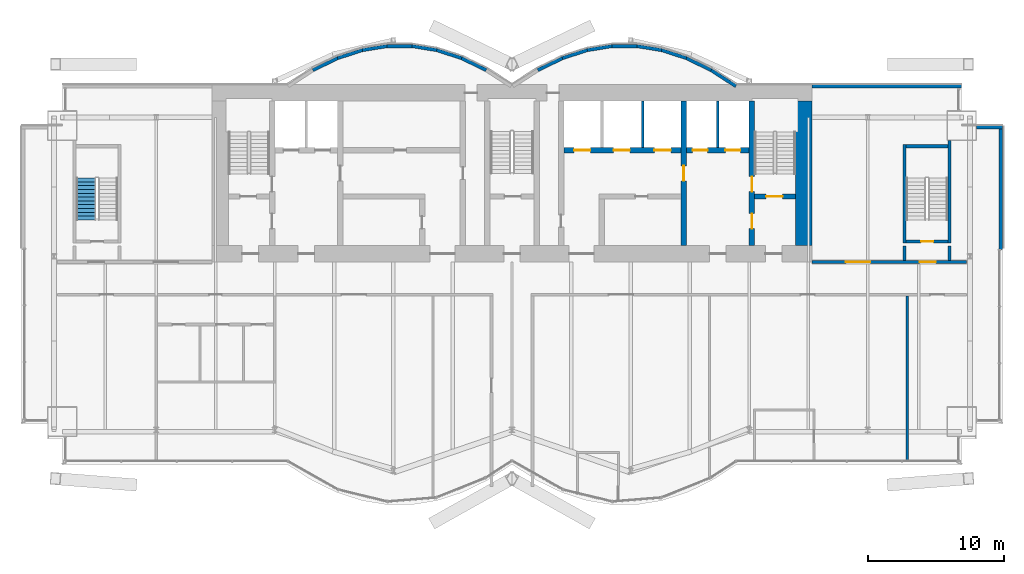
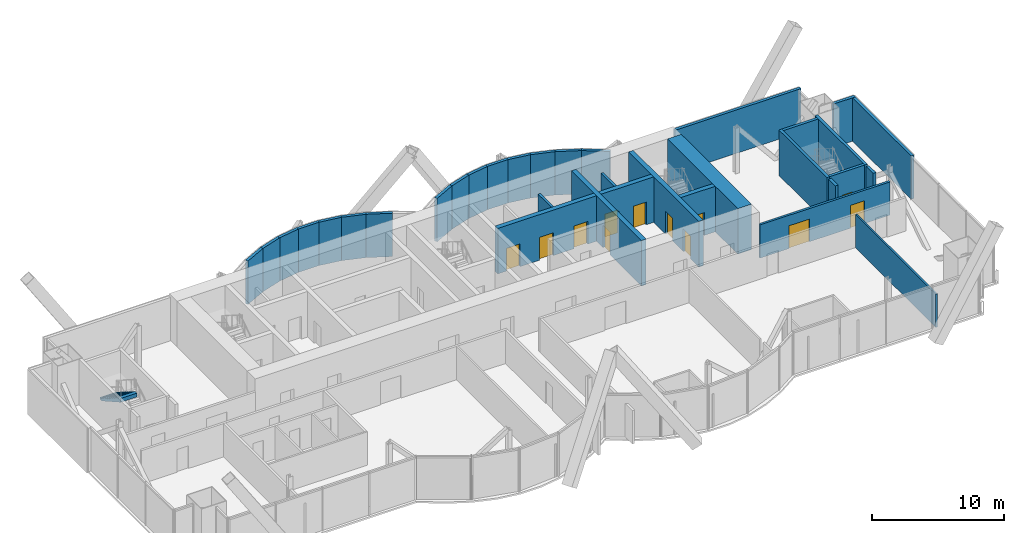
# One storey, part 15 of 19: 33 walls, 12 doors, 1 stair flight, 12 openings, 1 element without a shape of its own.
"""IFC4 building model written with IfcOpenShell, lengths in metres."""

import ifcopenshell
import ifcopenshell.guid

model = None  # the IFC model being written
_history = None  # IfcOwnerHistory: only IFC2X3 demands one
_inside = {}  # id of a spatial element -> (the spatial element, [elements in it])
_under = {}  # id of a project, library or spatial element -> (it, [spatial elements below it])
_declared = {}  # id of a project -> (the project, [libraries it declares])
_typed = {}  # id of a type object -> (the type object, [elements of that type])
_made_of = {}  # id of a material, layer set ... -> (it, [elements and type objects made of it])


def new_model(schema):
    """Start an empty IFC model of exactly this schema.

    Asked for "IFC4X3", IfcOpenShell would pick the latest addendum, in which some entities
    have other attributes; the version numbers below select the first issue.
    IFC2X3 requires an IfcOwnerHistory on every rooted entity: one is made here for all.
    """
    global model, _history
    if schema == "IFC4X3":
        model = ifcopenshell.file(schema_version=(4, 3, 0, 0))
    else:
        model = ifcopenshell.file(schema=schema)
    _inside.clear()
    _under.clear()
    _declared.clear()
    _typed.clear()
    _made_of.clear()
    _history = None
    if model.schema == "IFC2X3":
        org = make("IfcOrganization", Name="unknown")
        user = make(
            "IfcPersonAndOrganization",
            ThePerson=make("IfcPerson", FamilyName="unknown"),
            TheOrganization=org,
        )
        app = make(
            "IfcApplication",
            ApplicationDeveloper=org,
            Version="unknown",
            ApplicationFullName="unknown",
            ApplicationIdentifier="unknown",
        )
        _history = make(
            "IfcOwnerHistory",
            OwningUser=user,
            OwningApplication=app,
            ChangeAction="ADDED",
            CreationDate=0,
        )
    return model


def make(cls, **values):
    """One entity of the class cls with the attributes given. An attribute that is None is left unset."""
    return model.create_entity(
        cls, **{name: value for name, value in values.items() if value is not None}
    )


def rooted(cls, **values):
    """An entity with a GlobalId (a new one), such as an element, a storey or a relation."""
    return make(cls, GlobalId=ifcopenshell.guid.new(), OwnerHistory=_history, **values)


def si_unit(unit_type, name, prefix=None):
    """IfcSIUnit, for example si_unit("LENGTHUNIT", "METRE", prefix="MILLI")."""
    return make("IfcSIUnit", UnitType=unit_type, Prefix=prefix, Name=name)


def assignment(units):
    """IfcUnitAssignment: the units of a project."""
    return None if units is None else make("IfcUnitAssignment", Units=units)


def point(xyz):
    """IfcCartesianPoint."""
    return None if xyz is None else make("IfcCartesianPoint", Coordinates=xyz)


def direction(xyz):
    """IfcDirection."""
    return None if xyz is None else make("IfcDirection", DirectionRatios=xyz)


def frame(location, z_axis=None, x_axis=None):
    """IfcAxis2Placement3D, a coordinate frame: its origin and axes. An axis left out is left unset."""
    return make(
        "IfcAxis2Placement3D",
        Location=point(location),
        Axis=direction(z_axis),
        RefDirection=direction(x_axis),
    )


def frame_2d(location, x_axis=None):
    """IfcAxis2Placement2D, a coordinate frame in the plane: its origin and x axis."""
    return make(
        "IfcAxis2Placement2D", Location=point(location), RefDirection=direction(x_axis)
    )


def origin():
    """The frame at (0, 0, 0) with its axes left unset."""
    return frame((0.0, 0.0, 0.0))


def place(relative_to, where):
    """IfcLocalPlacement: puts the frame where relative to a parent placement (None: the world)."""
    return make(
        "IfcLocalPlacement", PlacementRelTo=relative_to, RelativePlacement=where
    )


def context(
    kind, dimensions, precision=None, world=None, true_north=None, identifier=None
):
    """IfcGeometricRepresentationContext, for example the 3D "Model" context."""
    return make(
        "IfcGeometricRepresentationContext",
        ContextIdentifier=identifier,
        ContextType=kind,
        CoordinateSpaceDimension=dimensions,
        Precision=precision,
        WorldCoordinateSystem=world,
        TrueNorth=true_north,
    )


def subcontext(parent, identifier, kind, view, scale=None):
    """IfcGeometricRepresentationSubContext, for example "Body" below "Model"."""
    return make(
        "IfcGeometricRepresentationSubContext",
        ContextIdentifier=identifier,
        ContextType=kind,
        ParentContext=parent,
        TargetScale=scale,
        TargetView=view,
    )


def project(units=None, contexts=None):
    """IfcProject with its units and contexts."""
    return rooted(
        "IfcProject",
        Name="project",
        RepresentationContexts=contexts,
        UnitsInContext=assignment(units),
    )


def spatial(cls, under=None, at=None, **own):
    """A site, building, storey or space (cls), placed at a placement, below another one or the project."""
    s = rooted(cls, ObjectPlacement=at, **own)
    if under is not None:
        _under.setdefault(under.id(), (under, []))[1].append(s)
    return s


def polyline(points):
    """IfcPolyline through the points."""
    return make("IfcPolyline", Points=[point(p) for p in points])


def profile(cls, at=None, kind="AREA", **sizes):
    """A parametric profile (cls). Its sizes go by their IFC names, for example OverallWidth=200.0."""
    return make(cls, ProfileType=kind, Position=at, **sizes)


def rectangle(**sizes):
    """IfcRectangleProfileDef."""
    return profile("IfcRectangleProfileDef", **sizes)


def outline(outer, holes=None, kind="AREA"):
    """IfcArbitraryClosedProfileDef: a profile drawn as a closed curve; with holes, ...WithVoids."""
    if holes is None:
        return make("IfcArbitraryClosedProfileDef", ProfileType=kind, OuterCurve=outer)
    return make(
        "IfcArbitraryProfileDefWithVoids",
        ProfileType=kind,
        OuterCurve=outer,
        InnerCurves=holes,
    )


def extrude(swept, where, along, depth):
    """IfcExtrudedAreaSolid: the profile swept, set in the frame where, extruded along a direction by depth."""
    return make(
        "IfcExtrudedAreaSolid",
        SweptArea=swept,
        Position=where,
        ExtrudedDirection=direction(along),
        Depth=depth,
    )


def shape(context_of_items, identifier, shape_type, items):
    """IfcShapeRepresentation: the items that make up one representation, for example the "Body"."""
    return make(
        "IfcShapeRepresentation",
        ContextOfItems=context_of_items,
        RepresentationIdentifier=identifier,
        RepresentationType=shape_type,
        Items=items,
    )


def material(Name=None, Category=None):
    """IfcMaterial."""
    return make("IfcMaterial", Name=Name, Category=Category)


def layer(
    of_material, thickness, ventilated=None, Name=None, Category=None, Priority=None
):
    """IfcMaterialLayer: one layer of a wall or slab, of a material (None: an air gap)."""
    return make(
        "IfcMaterialLayer",
        Material=of_material,
        LayerThickness=thickness,
        IsVentilated=ventilated,
        Name=Name,
        Category=Category,
        Priority=Priority,
    )


def layer_set(layers, Name=None):
    """IfcMaterialLayerSet."""
    return make("IfcMaterialLayerSet", MaterialLayers=layers, LayerSetName=Name)


def layer_usage(for_layer_set, set_direction, sense, offset, extent=None):
    """IfcMaterialLayerSetUsage: how a layer set lies in its element."""
    return make(
        "IfcMaterialLayerSetUsage",
        ForLayerSet=for_layer_set,
        LayerSetDirection=set_direction,
        DirectionSense=sense,
        OffsetFromReferenceLine=offset,
        ReferenceExtent=extent,
    )


def made_of(thing, what):
    """Note that an element or type object is made of a material, layer set ...; save() writes the relation."""
    if what is not None:
        _made_of.setdefault(what.id(), (what, []))[1].append(thing)
    return thing


def type_object(cls, material=None, **own):
    """A type object (cls), such as IfcWallType, which elements share."""
    return made_of(rooted(cls, **own), material)


def element(
    cls,
    number,
    at=None,
    inside=None,
    cuts=None,
    type_object=None,
    material=None,
    context=None,
    identifier="Body",
    shape_type=None,
    held_by="IfcProductDefinitionShape",
    body=None,
    shapes=None,
    **own,
):
    """One element of the class cls, such as IfcWall. Its Tag is "e" and its number.

    at: its placement. inside: the storey or other place that contains it. cuts: it is an
    opening in that element (IfcRelVoidsElement). A single representation is given by context,
    identifier, shape_type and body (its items); several are given by shapes. held_by: the class
    of the entity that holds the representations. save() writes the other relations.
    """
    e = rooted(cls, Tag="e%d" % number, ObjectPlacement=at, **own)
    if body is not None:
        shapes = [shape(context, identifier, shape_type, body)]
    if shapes is not None:
        e.Representation = make(held_by, Representations=shapes)
    if inside is not None:
        _inside.setdefault(inside.id(), (inside, []))[1].append(e)
    if cuts is not None:
        rooted(
            "IfcRelVoidsElement", RelatingBuildingElement=cuts, RelatedOpeningElement=e
        )
    if type_object is not None:
        _typed.setdefault(type_object.id(), (type_object, []))[1].append(e)
    return made_of(e, material)


def fill(opening, filler):
    """IfcRelFillsElement: the door or window that sits in an opening."""
    return rooted(
        "IfcRelFillsElement",
        RelatingOpeningElement=opening,
        RelatedBuildingElement=filler,
    )


def aggregate(whole, parts):
    """IfcRelAggregates: a whole, such as a stair, and the parts it consists of."""
    return rooted("IfcRelAggregates", RelatingObject=whole, RelatedObjects=parts)


def save(model, path):
    """Write the relations noted so far, then the file.

    IfcRelAggregates (storeys below a building ...), IfcRelContainedInSpatialStructure (elements
    in a storey), IfcRelDefinesByType, IfcRelAssociatesMaterial and IfcRelDeclares: one each for
    every whole, place, type object, material and project.
    """
    for whole, parts in _under.values():
        aggregate(whole, parts)
    for where, things in _inside.values():
        rooted(
            "IfcRelContainedInSpatialStructure",
            RelatedElements=things,
            RelatingStructure=where,
        )
    for kind, things in _typed.values():
        rooted("IfcRelDefinesByType", RelatedObjects=things, RelatingType=kind)
    for what, things in _made_of.values():
        rooted("IfcRelAssociatesMaterial", RelatedObjects=things, RelatingMaterial=what)
    for by, libraries in _declared.values():
        rooted("IfcRelDeclares", RelatingContext=by, RelatedDefinitions=libraries)
    model.write(path)


model = new_model("IFC4")

# Units and contexts
model_context = context("Model", 3, precision=1e-05, world=origin(), true_north=direction((0.0, 1.0)))
body_context = subcontext(model_context, "Body", "Model", "MODEL_VIEW")
ifc_project = project(units=[si_unit("LENGTHUNIT", "METRE"), si_unit("AREAUNIT", "SQUARE_METRE"), si_unit("VOLUMEUNIT", "CUBIC_METRE"), si_unit("PLANEANGLEUNIT", "RADIAN"), si_unit("MASSUNIT", "GRAM", prefix="KILO")], contexts=[model_context])

# Site, building, storey
site_placement = place(None, origin())
site = spatial("IfcSite", under=ifc_project, at=site_placement, CompositionType="ELEMENT")
building_placement = place(site_placement, origin())
building = spatial("IfcBuilding", under=site, at=building_placement, Name="Bicima Exchange Tower", CompositionType="ELEMENT")
storey_placement = place(building_placement, frame((0.0, 0.0, 283.39990234375)))
storey = spatial("IfcBuildingStorey", under=building, at=storey_placement, Name="L64", CompositionType="ELEMENT", Elevation=283.39990234375)

# Walls
ifc_material_1 = material(Name="Gypsum board partition")
ifc_layer_1 = layer(ifc_material_1, 0.199951171875)
ifc_layer_set_1 = layer_set([ifc_layer_1], Name="Gypsum board partition")
wall_type_1 = type_object("IfcWallType", Name="Fire-rated gypsum partition 200 EI120", PredefinedType="PARTITIONING", material=ifc_layer_set_1)
for number, where, z_axis, x_axis, name in (
    (1, (9.60009765625, -4.60009765625, 0.0), (0.0, 0.0, 1.0), (0.0, 1.0, 0.0), "partition wall 18"),
    (2, (15.10009765625, -4.60009765625, 0.0), (0.0, 0.0, 1.0), (0.0, 1.0, 0.0), "partition wall 20"),
):
    element("IfcWall", number, at=place(storey_placement, frame(where, z_axis=z_axis, x_axis=x_axis)), inside=storey, type_object=wall_type_1, Name=name, PredefinedType="PARTITIONING", context=body_context, shape_type="SweptSolid", body=[
        extrude(rectangle(XDim=3.400146484375, YDim=0.199951171875, at=frame_2d((1.7001953125, 0.0))), origin(), (0.0, 0.0, 1.0), 3.068359375),
    ])

# Wall, openings, doors
ifc_layer_2 = layer(ifc_material_1, 0.199951171875)
ifc_layer_set_2 = layer_set([ifc_layer_2], Name="Gypsum board partition")
wall_type_2 = type_object("IfcWallType", Name="Fire-rated gypsum partition 200 EI60", PredefinedType="PARTITIONING", material=ifc_layer_set_2)
wall_1_placement = place(storey_placement, frame((22.0, -13.0, 0.0), z_axis=(0.0, 0.0, 1.0), x_axis=(1.0, 0.0, 0.0)))
wall_1 = element("IfcWall", 3, at=wall_1_placement, inside=storey, type_object=wall_type_2, Name="partition wall 8", PredefinedType="PARTITIONING", context=body_context, shape_type="SweptSolid", body=[
    extrude(rectangle(XDim=11.340087890625, YDim=0.199951171875, at=frame_2d((5.669921875, 0.0))), origin(), (0.0, 0.0, 1.0), 3.068359375),
])
opening_1_placement = place(wall_1_placement, frame((7.89990234375, 0.0, 0.0)))
opening_1 = element("IfcOpeningElement", 4, at=opening_1_placement, cuts=wall_1, Name="Opening L64-003", PredefinedType="OPENING", context=body_context, shape_type="SweptSolid", body=[
    extrude(rectangle(XDim=1.199951171875, YDim=2.10009765625, at=frame_2d((0.60009765625, 1.050048828125))), frame((0.0, 0.11181640625, 0.0), z_axis=(0.0, -1.0, 0.0), x_axis=(1.0, 0.0, 0.0)), (0.0, 0.0, 1.0), 0.223876953125),
])
opening_2_placement = place(wall_1_placement, frame((2.5, 0.0, 0.0)))
opening_2 = element("IfcOpeningElement", 5, at=opening_2_placement, cuts=wall_1, Name="Opening L64-006", PredefinedType="OPENING", context=body_context, shape_type="SweptSolid", body=[
    extrude(rectangle(XDim=1.800048828125, YDim=2.10009765625, at=frame_2d((0.89990234375, 1.050048828125))), frame((0.0, 0.11181640625, 0.0), z_axis=(0.0, -1.0, 0.0), x_axis=(1.0, 0.0, 0.0)), (0.0, 0.0, 1.0), 0.223876953125),
])
ifc_material_2 = material(Name="Steel fire door leaf", Category="steel")
door_type_1 = type_object("IfcDoorType", Name="Door 1200 swing FD30S", OperationType="SINGLE_SWING_LEFT", PredefinedType="DOOR", material=ifc_material_2)
door_1_placement = place(opening_1_placement, origin())
door_1 = element("IfcDoor", 6, at=door_1_placement, inside=storey, type_object=door_type_1, Name="Door", OperationType="SINGLE_SWING_RIGHT", OverallHeight=2.10009765625, OverallWidth=1.199951171875, PredefinedType="DOOR", context=body_context, shape_type="SweptSolid", body=[
    extrude(rectangle(XDim=1.199951171875, YDim=2.10009765625, at=frame_2d((0.60009765625, 1.050048828125))), frame((0.0, 0.02490234375, 0.0), z_axis=(0.0, -1.0, 0.0), x_axis=(1.0, 0.0, 0.0)), (0.0, 0.0, 1.0), 0.050048828125),
])
fill(opening_1, door_1)
door_type_2 = type_object("IfcDoorType", Name="Door 1800 double swing FD30S", OperationType="DOUBLE_DOOR_SINGLE_SWING", PredefinedType="DOOR", material=ifc_material_2)
door_2_placement = place(opening_2_placement, origin())
door_2 = element("IfcDoor", 7, at=door_2_placement, inside=storey, type_object=door_type_2, Name="Door", OperationType="SINGLE_SWING_LEFT", OverallHeight=2.10009765625, OverallWidth=1.800048828125, PredefinedType="DOOR", context=body_context, shape_type="SweptSolid", body=[
    extrude(rectangle(XDim=1.800048828125, YDim=2.10009765625, at=frame_2d((0.89990234375, 1.050048828125))), frame((0.0, 0.02490234375, 0.0), z_axis=(0.0, -1.0, 0.0), x_axis=(1.0, 0.0, 0.0)), (0.0, 0.0, 1.0), 0.050048828125),
])
fill(opening_2, door_2)

# Walls
ifc_layer_3 = layer(ifc_material_1, 0.14990234375)
ifc_layer_set_3 = layer_set([ifc_layer_3], Name="Gypsum board partition")
wall_type_3 = type_object("IfcWallType", Name="Gypsum partition 150", PredefinedType="PARTITIONING", material=ifc_layer_set_3)
wall_2_placement = place(storey_placement, frame((29.0, -27.639892578125, 0.0), z_axis=(0.0, 0.0, 1.0), x_axis=(0.0, 1.0, 0.0)))
element("IfcWall", 8, at=wall_2_placement, inside=storey, type_object=wall_type_3, Name="partition wall 29", PredefinedType="PARTITIONING", context=body_context, shape_type="SweptSolid", body=[
    extrude(rectangle(XDim=12.139892578125, YDim=0.14990234375, at=frame_2d((6.06982421875, 0.0))), origin(), (0.0, 0.0, 1.0), 3.068359375),
])
ifc_material_3 = material(Name="Concrete C40/50", Category="concrete")
ifc_layer_4 = layer(ifc_material_3, 1.199951171875)
ifc_layer_set_4 = layer_set([ifc_layer_4], Name="Concrete C40/50")
wall_type_4 = type_object("IfcWallType", Name="RC core wall 1200 C40/50", PredefinedType="SHEAR", material=ifc_layer_set_4)
wall_3_placement = place(storey_placement, frame((21.39990234375, -11.800048828125, 0.0), z_axis=(0.0, 0.0, 1.0), x_axis=(0.0, 1.0, 0.0)))
element("IfcWall", 9, at=wall_3_placement, inside=storey, type_object=wall_type_4, Name="Core wall east", PredefinedType="SHEAR", context=body_context, shape_type="SweptSolid", body=[
    extrude(rectangle(XDim=10.60009765625, YDim=1.199951171875, at=frame_2d((5.300048828125, 0.0))), origin(), (0.0, 0.0, 1.0), 4.2001953125),
])
ifc_material_4 = material(Name="Concrete C50/60", Category="concrete")
ifc_layer_5 = layer(ifc_material_4, 0.25)
ifc_layer_set_5 = layer_set([ifc_layer_5], Name="Concrete C50/60")
wall_type_5 = type_object("IfcWallType", Name="RC core wall 250 C50/60", PredefinedType="SHEAR", material=ifc_layer_set_5)
for number, where, z_axis, x_axis, name in (
    (10, (28.800048828125, -12.89990234375, 0.0), (0.0, 0.0, 1.0), (0.0, 1.0, 0.0), "stair wall 28"),
    (11, (32.10009765625, -12.89990234375, 0.0), (0.0, 0.0, 1.0), (0.0, 1.0, 0.0), "stair wall 30"),
):
    element("IfcWall", number, at=place(storey_placement, frame(where, z_axis=z_axis, x_axis=x_axis)), inside=storey, type_object=wall_type_5, Name=name, PredefinedType="SHEAR", context=body_context, shape_type="SweptSolid", body=[
        extrude(rectangle(XDim=1.0498046875, YDim=0.25, at=frame_2d((0.52490234375, 0.0))), origin(), (0.0, 0.0, 1.0), 4.2001953125),
    ])

# Wall, openings, doors
ifc_layer_6 = layer(ifc_material_3, 0.39990234375)
ifc_layer_set_6 = layer_set([ifc_layer_6], Name="Concrete C40/50")
wall_type_6 = type_object("IfcWallType", Name="RC core wall 400 C40/50", PredefinedType="SHEAR", material=ifc_layer_set_6)
wall_4_placement = place(storey_placement, frame((3.800048828125, -4.800048828125, 0.0), z_axis=(0.0, 0.0, 1.0), x_axis=(1.0, 0.0, 0.0)))
wall_4 = element("IfcWall", 12, at=wall_4_placement, inside=storey, type_object=wall_type_6, Name="shear wall 7", PredefinedType="SHEAR", context=body_context, shape_type="SweptSolid", body=[
    extrude(rectangle(XDim=13.599853515625, YDim=0.39990234375, at=frame_2d((6.7998046875, 0.0))), origin(), (0.0, 0.0, 1.0), 4.2001953125),
])
opening_3_placement = place(wall_4_placement, frame((0.75, 0.0, 0.0)))
opening_3 = element("IfcOpeningElement", 13, at=opening_3_placement, cuts=wall_4, Name="Opening LD-HB1-L64", PredefinedType="OPENING", context=body_context, shape_type="SweptSolid", body=[
    extrude(rectangle(XDim=1.199951171875, YDim=2.10009765625, at=frame_2d((0.60009765625, 1.050048828125))), frame((0.0, 0.2119140625, 0.0), z_axis=(0.0, -1.0, 0.0), x_axis=(1.0, 0.0, 0.0)), (0.0, 0.0, 1.0), 0.423828125),
])
opening_4_placement = place(wall_4_placement, frame((3.64990234375, 0.0, 0.0)))
opening_4 = element("IfcOpeningElement", 14, at=opening_4_placement, cuts=wall_4, Name="Opening LD-HB2-L64", PredefinedType="OPENING", context=body_context, shape_type="SweptSolid", body=[
    extrude(rectangle(XDim=1.199951171875, YDim=2.10009765625, at=frame_2d((0.60009765625, 1.050048828125))), frame((0.0, 0.2119140625, 0.0), z_axis=(0.0, -1.0, 0.0), x_axis=(1.0, 0.0, 0.0)), (0.0, 0.0, 1.0), 0.423828125),
])
opening_5_placement = place(wall_4_placement, frame((6.64990234375, 0.0, 0.0)))
opening_5 = element("IfcOpeningElement", 15, at=opening_5_placement, cuts=wall_4, Name="Opening LD-HB3-L64", PredefinedType="OPENING", context=body_context, shape_type="SweptSolid", body=[
    extrude(rectangle(XDim=1.199951171875, YDim=2.10009765625, at=frame_2d((0.60009765625, 1.050048828125))), frame((0.0, 0.2119140625, 0.0), z_axis=(0.0, -1.0, 0.0), x_axis=(1.0, 0.0, 0.0)), (0.0, 0.0, 1.0), 0.423828125),
])
opening_6_placement = place(wall_4_placement, frame((9.449951171875, 0.0, 0.0)))
opening_6 = element("IfcOpeningElement", 16, at=opening_6_placement, cuts=wall_4, Name="Opening LD-FF2-L64", PredefinedType="OPENING", context=body_context, shape_type="SweptSolid", body=[
    extrude(rectangle(XDim=1.10009765625, YDim=2.10009765625, at=frame_2d((0.550048828125, 1.050048828125))), frame((0.0, 0.2119140625, 0.0), z_axis=(0.0, -1.0, 0.0), x_axis=(1.0, 0.0, 0.0)), (0.0, 0.0, 1.0), 0.423828125),
])
opening_7_placement = place(wall_4_placement, frame((11.85009765625, 0.0, 0.0)))
opening_7 = element("IfcOpeningElement", 17, at=opening_7_placement, cuts=wall_4, Name="Opening LD-SV1-L64", PredefinedType="OPENING", context=body_context, shape_type="SweptSolid", body=[
    extrude(rectangle(XDim=1.10009765625, YDim=2.10009765625, at=frame_2d((0.550048828125, 1.050048828125))), frame((0.0, 0.2119140625, 0.0), z_axis=(0.0, -1.0, 0.0), x_axis=(1.0, 0.0, 0.0)), (0.0, 0.0, 1.0), 0.423828125),
])
ifc_material_5 = material(Name="Stainless steel", Category="steel")
door_type_3 = type_object("IfcDoorType", Name="Lift landing door 1100 sliding", OperationType="DOUBLE_DOOR_SLIDING", PredefinedType="DOOR", material=ifc_material_5)
door_3_placement = place(opening_6_placement, origin())
door_3 = element("IfcDoor", 18, at=door_3_placement, inside=storey, type_object=door_type_3, Name="Lift landing door FF2", OperationType="DOUBLE_DOOR_SLIDING", OverallHeight=2.10009765625, OverallWidth=1.10009765625, PredefinedType="DOOR", context=body_context, shape_type="SweptSolid", body=[
    extrude(rectangle(XDim=1.10009765625, YDim=2.10009765625, at=frame_2d((0.550048828125, 1.050048828125))), frame((0.0, 0.02490234375, 0.0), z_axis=(0.0, -1.0, 0.0), x_axis=(1.0, 0.0, 0.0)), (0.0, 0.0, 1.0), 0.050048828125),
])
fill(opening_6, door_3)
door_4_placement = place(opening_7_placement, origin())
door_4 = element("IfcDoor", 19, at=door_4_placement, inside=storey, type_object=door_type_3, Name="Lift landing door SV1", OperationType="DOUBLE_DOOR_SLIDING", OverallHeight=2.10009765625, OverallWidth=1.10009765625, PredefinedType="DOOR", context=body_context, shape_type="SweptSolid", body=[
    extrude(rectangle(XDim=1.10009765625, YDim=2.10009765625, at=frame_2d((0.550048828125, 1.050048828125))), frame((0.0, 0.02490234375, 0.0), z_axis=(0.0, -1.0, 0.0), x_axis=(1.0, 0.0, 0.0)), (0.0, 0.0, 1.0), 0.050048828125),
])
fill(opening_7, door_4)
door_type_4 = type_object("IfcDoorType", Name="Lift landing door 1200 sliding", OperationType="DOUBLE_DOOR_SLIDING", PredefinedType="DOOR", material=ifc_material_5)
door_5_placement = place(opening_3_placement, origin())
door_5 = element("IfcDoor", 20, at=door_5_placement, inside=storey, type_object=door_type_4, Name="Lift landing door HB1", OperationType="DOUBLE_DOOR_SLIDING", OverallHeight=2.10009765625, OverallWidth=1.199951171875, PredefinedType="DOOR", context=body_context, shape_type="SweptSolid", body=[
    extrude(rectangle(XDim=1.199951171875, YDim=2.10009765625, at=frame_2d((0.60009765625, 1.050048828125))), frame((0.0, 0.02490234375, 0.0), z_axis=(0.0, -1.0, 0.0), x_axis=(1.0, 0.0, 0.0)), (0.0, 0.0, 1.0), 0.050048828125),
])
fill(opening_3, door_5)
door_6_placement = place(opening_4_placement, origin())
door_6 = element("IfcDoor", 21, at=door_6_placement, inside=storey, type_object=door_type_4, Name="Lift landing door HB2", OperationType="DOUBLE_DOOR_SLIDING", OverallHeight=2.10009765625, OverallWidth=1.199951171875, PredefinedType="DOOR", context=body_context, shape_type="SweptSolid", body=[
    extrude(rectangle(XDim=1.199951171875, YDim=2.10009765625, at=frame_2d((0.60009765625, 1.050048828125))), frame((0.0, 0.02490234375, 0.0), z_axis=(0.0, -1.0, 0.0), x_axis=(1.0, 0.0, 0.0)), (0.0, 0.0, 1.0), 0.050048828125),
])
fill(opening_4, door_6)
door_7_placement = place(opening_5_placement, origin())
door_7 = element("IfcDoor", 22, at=door_7_placement, inside=storey, type_object=door_type_4, Name="Lift landing door HB3", OperationType="DOUBLE_DOOR_SLIDING", OverallHeight=2.10009765625, OverallWidth=1.199951171875, PredefinedType="DOOR", context=body_context, shape_type="SweptSolid", body=[
    extrude(rectangle(XDim=1.199951171875, YDim=2.10009765625, at=frame_2d((0.60009765625, 1.050048828125))), frame((0.0, 0.02490234375, 0.0), z_axis=(0.0, -1.0, 0.0), x_axis=(1.0, 0.0, 0.0)), (0.0, 0.0, 1.0), 0.050048828125),
])
fill(opening_5, door_7)

# Wall, opening, door
wall_5_placement = place(storey_placement, frame((12.60009765625, -11.800048828125, 0.0), z_axis=(0.0, 0.0, 1.0), x_axis=(0.0, 1.0, 0.0)))
wall_5 = element("IfcWall", 23, at=wall_5_placement, inside=storey, type_object=wall_type_6, Name="shear wall 19", PredefinedType="SHEAR", context=body_context, shape_type="SweptSolid", body=[
    extrude(rectangle(XDim=10.60009765625, YDim=0.39990234375, at=frame_2d((5.300048828125, 0.0))), origin(), (0.0, 0.0, 1.0), 4.2001953125),
])
opening_8_placement = place(wall_5_placement, frame((4.75, 0.0, 0.0)))
opening_8 = element("IfcOpeningElement", 24, at=opening_8_placement, cuts=wall_5, Name="Opening L64-C09", PredefinedType="OPENING", context=body_context, shape_type="SweptSolid", body=[
    extrude(rectangle(XDim=1.10009765625, YDim=2.10009765625, at=frame_2d((0.550048828125, 1.050048828125))), frame((0.0, 0.2119140625, 0.0), z_axis=(0.0, -1.0, 0.0), x_axis=(1.0, 0.0, 0.0)), (0.0, 0.0, 1.0), 0.423828125),
])
door_type_5 = type_object("IfcDoorType", Name="Door 1100 swing FD60S", OperationType="SINGLE_SWING_LEFT", PredefinedType="DOOR", material=ifc_material_2)
door_8_placement = place(opening_8_placement, frame((1.10009765625, 0.0, 0.0), z_axis=(0.0, 0.0, 1.0), x_axis=(-1.0, 0.0, 0.0)))
door_8 = element("IfcDoor", 25, at=door_8_placement, inside=storey, type_object=door_type_5, Name="Core door", OperationType="SINGLE_SWING_RIGHT", OverallHeight=2.10009765625, OverallWidth=1.10009765625, PredefinedType="DOOR", context=body_context, shape_type="SweptSolid", body=[
    extrude(rectangle(XDim=1.10009765625, YDim=2.10009765625, at=frame_2d((0.550048828125, 1.050048828125))), frame((0.0, 0.02490234375, 0.0), z_axis=(0.0, -1.0, 0.0), x_axis=(1.0, 0.0, 0.0)), (0.0, 0.0, 1.0), 0.050048828125),
])
fill(opening_8, door_8)

ifc_layer_7 = layer(ifc_material_4, 0.39990234375)
ifc_layer_set_7 = layer_set([ifc_layer_7], Name="Concrete C50/60")
wall_type_7 = type_object("IfcWallType", Name="RC core wall 400 C50/60", PredefinedType="SHEAR", material=ifc_layer_set_7)
wall_6_placement = place(storey_placement, frame((17.800048828125, -8.199951171875, 0.0), z_axis=(0.0, 0.0, 1.0), x_axis=(1.0, 0.0, 0.0)))
wall_6 = element("IfcWall", 26, at=wall_6_placement, inside=storey, type_object=wall_type_7, Name="stair wall 5", PredefinedType="SHEAR", context=body_context, shape_type="SweptSolid", body=[
    extrude(rectangle(XDim=3.0, YDim=0.39990234375, at=frame_2d((1.5, 0.0))), origin(), (0.0, 0.0, 1.0), 4.2001953125),
])
opening_9_placement = place(wall_6_placement, frame((0.85009765625, 0.0, 0.0)))
opening_9 = element("IfcOpeningElement", 27, at=opening_9_placement, cuts=wall_6, Name="Opening L64-C04", PredefinedType="OPENING", context=body_context, shape_type="SweptSolid", body=[
    extrude(rectangle(XDim=1.199951171875, YDim=2.10009765625, at=frame_2d((0.60009765625, 1.050048828125))), frame((0.0, 0.2119140625, 0.0), z_axis=(0.0, -1.0, 0.0), x_axis=(1.0, 0.0, 0.0)), (0.0, 0.0, 1.0), 0.423828125),
])
door_type_6 = type_object("IfcDoorType", Name="Door 1200 swing FD60S", OperationType="SINGLE_SWING_LEFT", PredefinedType="DOOR", material=ifc_material_2)
door_9_placement = place(opening_9_placement, origin())
door_9 = element("IfcDoor", 28, at=door_9_placement, inside=storey, type_object=door_type_6, Name="Core door", OperationType="SINGLE_SWING_RIGHT", OverallHeight=2.10009765625, OverallWidth=1.199951171875, PredefinedType="DOOR", context=body_context, shape_type="SweptSolid", body=[
    extrude(rectangle(XDim=1.199951171875, YDim=2.10009765625, at=frame_2d((0.60009765625, 1.050048828125))), frame((0.0, 0.02490234375, 0.0), z_axis=(0.0, -1.0, 0.0), x_axis=(1.0, 0.0, 0.0)), (0.0, 0.0, 1.0), 0.050048828125),
])
fill(opening_9, door_9)

# Wall, openings, doors
wall_7_placement = place(storey_placement, frame((17.60009765625, -11.800048828125, 0.0), z_axis=(0.0, 0.0, 1.0), x_axis=(0.0, 1.0, 0.0)))
wall_7 = element("IfcWall", 29, at=wall_7_placement, inside=storey, type_object=wall_type_7, Name="stair wall 21", PredefinedType="SHEAR", context=body_context, shape_type="SweptSolid", body=[
    extrude(rectangle(XDim=10.60009765625, YDim=0.39990234375, at=frame_2d((5.300048828125, 0.0))), origin(), (0.0, 0.0, 1.0), 4.2001953125),
])
opening_10_placement = place(wall_7_placement, frame((1.25, 0.0, 0.0)))
opening_10 = element("IfcOpeningElement", 30, at=opening_10_placement, cuts=wall_7, Name="Opening L64-C05", PredefinedType="OPENING", context=body_context, shape_type="SweptSolid", body=[
    extrude(rectangle(XDim=1.10009765625, YDim=2.10009765625, at=frame_2d((0.550048828125, 1.050048828125))), frame((0.0, 0.2119140625, 0.0), z_axis=(0.0, -1.0, 0.0), x_axis=(1.0, 0.0, 0.0)), (0.0, 0.0, 1.0), 0.423828125),
])
opening_11_placement = place(wall_7_placement, frame((3.949951171875, 0.0, 0.0)))
opening_11 = element("IfcOpeningElement", 31, at=opening_11_placement, cuts=wall_7, Name="Opening L64-C08", PredefinedType="OPENING", context=body_context, shape_type="SweptSolid", body=[
    extrude(rectangle(XDim=1.10009765625, YDim=2.10009765625, at=frame_2d((0.550048828125, 1.050048828125))), frame((0.0, 0.2119140625, 0.0), z_axis=(0.0, -1.0, 0.0), x_axis=(1.0, 0.0, 0.0)), (0.0, 0.0, 1.0), 0.423828125),
])
door_10_placement = place(opening_10_placement, origin())
door_10 = element("IfcDoor", 32, at=door_10_placement, inside=storey, type_object=door_type_5, Name="Core door", OperationType="SINGLE_SWING_LEFT", OverallHeight=2.10009765625, OverallWidth=1.10009765625, PredefinedType="DOOR", context=body_context, shape_type="SweptSolid", body=[
    extrude(rectangle(XDim=1.10009765625, YDim=2.10009765625, at=frame_2d((0.550048828125, 1.050048828125))), frame((0.0, 0.02490234375, 0.0), z_axis=(0.0, -1.0, 0.0), x_axis=(1.0, 0.0, 0.0)), (0.0, 0.0, 1.0), 0.050048828125),
])
fill(opening_10, door_10)
door_11_placement = place(opening_11_placement, origin())
door_11 = element("IfcDoor", 33, at=door_11_placement, inside=storey, type_object=door_type_5, Name="Core door", OperationType="SINGLE_SWING_RIGHT", OverallHeight=2.10009765625, OverallWidth=1.10009765625, PredefinedType="DOOR", context=body_context, shape_type="SweptSolid", body=[
    extrude(rectangle(XDim=1.10009765625, YDim=2.10009765625, at=frame_2d((0.550048828125, 1.050048828125))), frame((0.0, 0.02490234375, 0.0), z_axis=(0.0, -1.0, 0.0), x_axis=(1.0, 0.0, 0.0)), (0.0, 0.0, 1.0), 0.050048828125),
])
fill(opening_11, door_11)

# Walls
ifc_layer_8 = layer(ifc_material_4, 0.25)
ifc_layer_set_8 = layer_set([ifc_layer_8], Name="Concrete C50/60")
wall_type_8 = type_object("IfcWallType", Name="RC stair enclosure wall 250 C50/60", PredefinedType="SHEAR", material=ifc_layer_set_8)
wall_8_placement = place(storey_placement, frame((28.800048828125, -11.625, 0.0), z_axis=(0.0, 0.0, 1.0), x_axis=(0.0, 1.0, 0.0)))
element("IfcWall", 34, at=wall_8_placement, inside=storey, type_object=wall_type_8, Name="East end exit stair wall W", PredefinedType="SHEAR", context=body_context, shape_type="SweptSolid", body=[
    extrude(rectangle(XDim=7.25, YDim=0.25, at=frame_2d((3.625, 0.0))), origin(), (0.0, 0.0, 1.0), 4.2001953125),
])
wall_9_placement = place(storey_placement, frame((32.10009765625, -11.625, 0.0), z_axis=(0.0, 0.0, 1.0), x_axis=(0.0, 1.0, 0.0)))
element("IfcWall", 35, at=wall_9_placement, inside=storey, type_object=wall_type_8, Name="East end exit stair wall E", PredefinedType="SHEAR", context=body_context, shape_type="SweptSolid", body=[
    extrude(rectangle(XDim=7.52490234375, YDim=0.25, at=frame_2d((3.762451171875, 0.0))), origin(), (0.0, 0.0, 1.0), 4.2001953125),
])

# Wall, opening, door
wall_10_placement = place(storey_placement, frame((28.925048828125, -11.5, 0.0), z_axis=(0.0, 0.0, 1.0), x_axis=(1.0, 0.0, 0.0)))
wall_10 = element("IfcWall", 36, at=wall_10_placement, inside=storey, type_object=wall_type_8, Name="East end exit stair wall S", PredefinedType="SHEAR", context=body_context, shape_type="SweptSolid", body=[
    extrude(rectangle(XDim=3.050048828125, YDim=0.25, at=frame_2d((1.52490234375, 0.0))), origin(), (0.0, 0.0, 1.0), 4.2001953125),
])
opening_12_placement = place(wall_10_placement, frame((1.10009765625, 0.0, 0.0)))
opening_12 = element("IfcOpeningElement", 37, at=opening_12_placement, cuts=wall_10, Name="Opening L64-004", PredefinedType="OPENING", context=body_context, shape_type="SweptSolid", body=[
    extrude(rectangle(XDim=0.89990234375, YDim=2.10009765625, at=frame_2d((0.449951171875, 1.050048828125))), frame((0.0, 0.136962890625, 0.0), z_axis=(0.0, -1.0, 0.0), x_axis=(1.0, 0.0, 0.0)), (0.0, 0.0, 1.0), 0.27392578125),
])
door_type_7 = type_object("IfcDoorType", Name="Door 900 swing FD60S", OperationType="SINGLE_SWING_LEFT", PredefinedType="DOOR", material=ifc_material_2)
door_12_placement = place(opening_12_placement, origin())
door_12 = element("IfcDoor", 38, at=door_12_placement, inside=storey, type_object=door_type_7, Name="Door", OperationType="SINGLE_SWING_LEFT", OverallHeight=2.10009765625, OverallWidth=0.89990234375, PredefinedType="DOOR", context=body_context, shape_type="SweptSolid", body=[
    extrude(rectangle(XDim=0.89990234375, YDim=2.10009765625, at=frame_2d((0.449951171875, 1.050048828125))), frame((0.0, 0.02490234375, 0.0), z_axis=(0.0, -1.0, 0.0), x_axis=(1.0, 0.0, 0.0)), (0.0, 0.0, 1.0), 0.050048828125),
])
fill(opening_12, door_12)

# Walls
wall_11_placement = place(storey_placement, frame((28.925048828125, -4.5, 0.0), z_axis=(0.0, 0.0, 1.0), x_axis=(1.0, 0.0, 0.0)))
element("IfcWall", 39, at=wall_11_placement, inside=storey, type_object=wall_type_8, Name="East end exit stair wall N", PredefinedType="SHEAR", context=body_context, shape_type="SweptSolid", body=[
    extrude(rectangle(XDim=3.050048828125, YDim=0.25, at=frame_2d((1.52490234375, 0.0))), origin(), (0.0, 0.0, 1.0), 4.2001953125),
])
ifc_layer_9 = layer(ifc_material_3, 0.25)
ifc_layer_set_9 = layer_set([ifc_layer_9], Name="Concrete C40/50")
ifc_layer_usage = layer_usage(ifc_layer_set_9, "AXIS2", "POSITIVE", -0.125)
wall_type_9 = type_object("IfcWallType", Name="Rear backup wall 250", PredefinedType="STANDARD", material=ifc_layer_set_9)
wall_12_placement = place(storey_placement, frame((33.0, -0.125, 0.0), z_axis=(0.0, 0.0, 1.0), x_axis=(-1.0, 0.0, 0.0)))
element("IfcWall", 40, at=wall_12_placement, inside=storey, type_object=wall_type_9, material=ifc_layer_usage, Name="Rear backup wall L64 1", PredefinedType="STANDARD", context=body_context, shape_type="SweptSolid", body=[
    extrude(rectangle(XDim=11.0, YDim=0.25, at=frame_2d((5.5, 0.0))), origin(), (0.0, 0.0, 1.0), 4.0),
])
wall_13_placement = place(storey_placement, frame((16.43212890625, -0.10498046875, 0.0), z_axis=(0.0, 0.0, 1.0), x_axis=(-0.83981312244, 0.542875602121, 0.0)))
element("IfcWall", 41, at=wall_13_placement, inside=storey, type_object=wall_type_9, material=ifc_layer_usage, Name="Rear backup wall L64 2", PredefinedType="STANDARD", context=body_context, shape_type="SweptSolid", body=[
    extrude(rectangle(XDim=2.182861328125, YDim=0.25, at=frame_2d((1.09130859375, 0.0))), origin(), (0.0, 0.0, 1.0), 4.0),
])
wall_14_placement = place(storey_placement, frame((14.6123046875, 1.07275390625, 0.0), z_axis=(0.0, 0.0, 1.0), x_axis=(-0.89982408427, 0.436252928206, 0.0)))
element("IfcWall", 42, at=wall_14_placement, inside=storey, type_object=wall_type_9, material=ifc_layer_usage, Name="Rear backup wall L64 3", PredefinedType="STANDARD", context=body_context, shape_type="SweptSolid", body=[
    extrude(rectangle(XDim=2.03759765625, YDim=0.25, at=frame_2d((1.018798828125, 0.0))), origin(), (0.0, 0.0, 1.0), 4.0),
])
wall_15_placement = place(storey_placement, frame((12.794921875, 1.955078125, 0.0), z_axis=(0.0, 0.0, 1.0), x_axis=(-0.951495806175, 0.307661714928, 0.0)))
element("IfcWall", 43, at=wall_15_placement, inside=storey, type_object=wall_type_9, material=ifc_layer_usage, Name="Rear backup wall L64 4", PredefinedType="STANDARD", context=body_context, shape_type="SweptSolid", body=[
    extrude(rectangle(XDim=1.9267578125, YDim=0.25, at=frame_2d((0.96337890625, 0.0))), origin(), (0.0, 0.0, 1.0), 4.0),
])
wall_16_placement = place(storey_placement, frame((10.97998046875, 2.543212890625, 0.0), z_axis=(0.0, 0.0, 1.0), x_axis=(-0.987181718931, 0.159600293885, 0.0)))
element("IfcWall", 44, at=wall_16_placement, inside=storey, type_object=wall_type_9, material=ifc_layer_usage, Name="Rear backup wall L64 5", PredefinedType="STANDARD", context=body_context, shape_type="SweptSolid", body=[
    extrude(rectangle(XDim=1.857177734375, YDim=0.25, at=frame_2d((0.9287109375, 0.0))), origin(), (0.0, 0.0, 1.0), 4.0),
])
wall_17_placement = place(storey_placement, frame((9.166748046875, 2.837890625, 0.0), z_axis=(0.0, 0.0, 1.0), x_axis=(-1.0, 0.0, 0.0)))
element("IfcWall", 45, at=wall_17_placement, inside=storey, type_object=wall_type_9, material=ifc_layer_usage, Name="Rear backup wall L64 6", PredefinedType="STANDARD", context=body_context, shape_type="SweptSolid", body=[
    extrude(rectangle(XDim=1.83349609375, YDim=0.25, at=frame_2d((0.916748046875, 0.0))), origin(), (0.0, 0.0, 1.0), 4.0),
])
wall_18_placement = place(storey_placement, frame((7.353271484375, 2.839599609375, 0.0), z_axis=(0.0, 0.0, 1.0), x_axis=(-0.987181718931, -0.159600293885, 0.0)))
element("IfcWall", 46, at=wall_18_placement, inside=storey, type_object=wall_type_9, material=ifc_layer_usage, Name="Rear backup wall L64 7", PredefinedType="STANDARD", context=body_context, shape_type="SweptSolid", body=[
    extrude(rectangle(XDim=1.857177734375, YDim=0.25, at=frame_2d((0.9287109375, 0.0))), origin(), (0.0, 0.0, 1.0), 4.0),
])
wall_19_placement = place(storey_placement, frame((5.538330078125, 2.5478515625, 0.0), z_axis=(0.0, 0.0, 1.0), x_axis=(-0.951495806175, -0.307661714928, 0.0)))
element("IfcWall", 47, at=wall_19_placement, inside=storey, type_object=wall_type_9, material=ifc_layer_usage, Name="Rear backup wall L64 8", PredefinedType="STANDARD", context=body_context, shape_type="SweptSolid", body=[
    extrude(rectangle(XDim=1.9267578125, YDim=0.25, at=frame_2d((0.96337890625, 0.0))), origin(), (0.0, 0.0, 1.0), 4.0),
])
for number, where, z_axis, x_axis, name in (
    (48, (3.72119140625, 1.961669921875, 0.0), (0.0, 0.0, 1.0), (-0.89982408427, -0.436252928206, 0.0), "Rear backup wall L64 9"),
    (49, (-1.8876953125, 1.07275390625, 0.0), (0.0, 0.0, 1.0), (-0.89982408427, 0.436252928206, 0.0), "Rear backup wall L64 12"),
):
    element("IfcWall", number, at=place(storey_placement, frame(where, z_axis=z_axis, x_axis=x_axis)), inside=storey, type_object=wall_type_9, material=ifc_layer_usage, Name=name, PredefinedType="STANDARD", context=body_context, shape_type="SweptSolid", body=[
        extrude(rectangle(XDim=2.03759765625, YDim=0.25, at=frame_2d((1.018798828125, 0.0))), origin(), (0.0, 0.0, 1.0), 4.0),
    ])
wall_20_placement = place(storey_placement, frame((-3.705078125, 1.955078125, 0.0), z_axis=(0.0, 0.0, 1.0), x_axis=(-0.951495806175, 0.307661714928, 0.0)))
element("IfcWall", 50, at=wall_20_placement, inside=storey, type_object=wall_type_9, material=ifc_layer_usage, Name="Rear backup wall L64 13", PredefinedType="STANDARD", context=body_context, shape_type="SweptSolid", body=[
    extrude(rectangle(XDim=1.9267578125, YDim=0.25, at=frame_2d((0.96337890625, 0.0))), origin(), (0.0, 0.0, 1.0), 4.0),
])
wall_21_placement = place(storey_placement, frame((-5.52001953125, 2.543212890625, 0.0), z_axis=(0.0, 0.0, 1.0), x_axis=(-0.987181718931, 0.159600293885, 0.0)))
element("IfcWall", 51, at=wall_21_placement, inside=storey, type_object=wall_type_9, material=ifc_layer_usage, Name="Rear backup wall L64 14", PredefinedType="STANDARD", context=body_context, shape_type="SweptSolid", body=[
    extrude(rectangle(XDim=1.857177734375, YDim=0.25, at=frame_2d((0.9287109375, 0.0))), origin(), (0.0, 0.0, 1.0), 4.0),
])
wall_22_placement = place(storey_placement, frame((-7.333251953125, 2.837890625, 0.0), z_axis=(0.0, 0.0, 1.0), x_axis=(-1.0, 0.0, 0.0)))
element("IfcWall", 52, at=wall_22_placement, inside=storey, type_object=wall_type_9, material=ifc_layer_usage, Name="Rear backup wall L64 15", PredefinedType="STANDARD", context=body_context, shape_type="SweptSolid", body=[
    extrude(rectangle(XDim=1.83349609375, YDim=0.25, at=frame_2d((0.916748046875, 0.0))), origin(), (0.0, 0.0, 1.0), 4.0),
])
wall_23_placement = place(storey_placement, frame((-9.146728515625, 2.839599609375, 0.0), z_axis=(0.0, 0.0, 1.0), x_axis=(-0.987181718931, -0.159600293885, 0.0)))
element("IfcWall", 53, at=wall_23_placement, inside=storey, type_object=wall_type_9, material=ifc_layer_usage, Name="Rear backup wall L64 16", PredefinedType="STANDARD", context=body_context, shape_type="SweptSolid", body=[
    extrude(rectangle(XDim=1.857177734375, YDim=0.25, at=frame_2d((0.9287109375, 0.0))), origin(), (0.0, 0.0, 1.0), 4.0),
])
wall_24_placement = place(storey_placement, frame((-10.961669921875, 2.5478515625, 0.0), z_axis=(0.0, 0.0, 1.0), x_axis=(-0.951495806175, -0.307661714928, 0.0)))
element("IfcWall", 54, at=wall_24_placement, inside=storey, type_object=wall_type_9, material=ifc_layer_usage, Name="Rear backup wall L64 17", PredefinedType="STANDARD", context=body_context, shape_type="SweptSolid", body=[
    extrude(rectangle(XDim=1.9267578125, YDim=0.25, at=frame_2d((0.96337890625, 0.0))), origin(), (0.0, 0.0, 1.0), 4.0),
])
wall_25_placement = place(storey_placement, frame((-12.77880859375, 1.961669921875, 0.0), z_axis=(0.0, 0.0, 1.0), x_axis=(-0.89982408427, -0.436252928206, 0.0)))
element("IfcWall", 55, at=wall_25_placement, inside=storey, type_object=wall_type_9, material=ifc_layer_usage, Name="Rear backup wall L64 18", PredefinedType="STANDARD", context=body_context, shape_type="SweptSolid", body=[
    extrude(rectangle(XDim=2.03759765625, YDim=0.25, at=frame_2d((1.018798828125, 0.0))), origin(), (0.0, 0.0, 1.0), 4.0),
])
wall_26_placement = place(storey_placement, frame((35.875, -12.090087890625, 0.0), z_axis=(0.0, 0.0, 1.0), x_axis=(0.0, 1.0, 0.0)))
element("IfcWall", 56, at=wall_26_placement, inside=storey, type_object=wall_type_9, material=ifc_layer_usage, Name="Rear backup wall L64 50", PredefinedType="STANDARD", context=body_context, shape_type="SweptSolid", body=[
    extrude(rectangle(XDim=9.090087890625, YDim=0.25, at=frame_2d((4.544921875, 0.0))), origin(), (0.0, 0.0, 1.0), 4.0),
])
wall_27_placement = place(storey_placement, frame((36.0, -3.125, 0.0), z_axis=(0.0, 0.0, 1.0), x_axis=(-1.0, 0.0, 0.0)))
element("IfcWall", 57, at=wall_27_placement, inside=storey, type_object=wall_type_9, material=ifc_layer_usage, Name="Rear backup wall L64 51", PredefinedType="STANDARD", context=body_context, shape_type="SweptSolid", body=[
    extrude(rectangle(XDim=1.89990234375, YDim=0.25, at=frame_2d((0.949951171875, 0.0))), origin(), (0.0, 0.0, 1.0), 4.0),
])

# Stair, stair flight
stair_type = type_object("IfcStairType", Name="Exit stair", PredefinedType="HALF_TURN_STAIR", material=ifc_material_4)
stair_placement = place(storey_placement, origin())
stair = element("IfcStair", 58, at=stair_placement, inside=storey, type_object=stair_type, Name="L64 West end exit stair", PredefinedType="HALF_TURN_STAIR")
stair_flight_type = type_object("IfcStairFlightType", Name="Stair flight RC", PredefinedType="STRAIGHT", material=ifc_material_4)
stair_flight_placement = place(storey_placement, frame((-31.25, -6.844970703125, 2.10009765625), z_axis=(0.0, 0.0, 1.0), x_axis=(0.0, -1.0, 0.0)))
stair_flight = element("IfcStairFlight", 59, at=stair_flight_placement, type_object=stair_flight_type, Name="ST-WW flight 2", NumberOfRisers=12, NumberOfTreads=11, PredefinedType="STRAIGHT", RiserHeight=0.175, TreadLength=0.28, context=body_context, shape_type="SweptSolid", body=[
    extrude(outline(polyline([(0.0, 0.0), (0.0, 0.175048828125), (0.280029296875, 0.175048828125), (0.280029296875, 0.35009765625), (0.56005859375, 0.35009765625), (0.56005859375, 0.52490234375), (0.840087890625, 0.52490234375), (0.840087890625, 0.699951171875), (1.1201171875, 0.699951171875), (1.1201171875, 0.875), (1.39990234375, 0.875), (1.39990234375, 1.050048828125), (1.679931640625, 1.050048828125), (1.679931640625, 1.22509765625), (1.9599609375, 1.22509765625), (1.9599609375, 1.39990234375), (2.239990234375, 1.39990234375), (2.239990234375, 1.574951171875), (2.52001953125, 1.574951171875), (2.52001953125, 1.75), (2.800048828125, 1.75), (2.800048828125, 1.925048828125), (3.080078125, 1.925048828125), (3.094970703125, 1.925048828125), (3.094970703125, 1.58251953125), (0.28271484375, 0.0), (0.0, 0.0)])), frame((0.0, 0.72509765625, 0.0), z_axis=(0.0, -1.0, 0.0), x_axis=(1.0, 0.0, 0.0)), (0.0, 0.0, 1.0), 1.449951171875),
])
aggregate(stair, [stair_flight])

save(model, "model.ifc")
